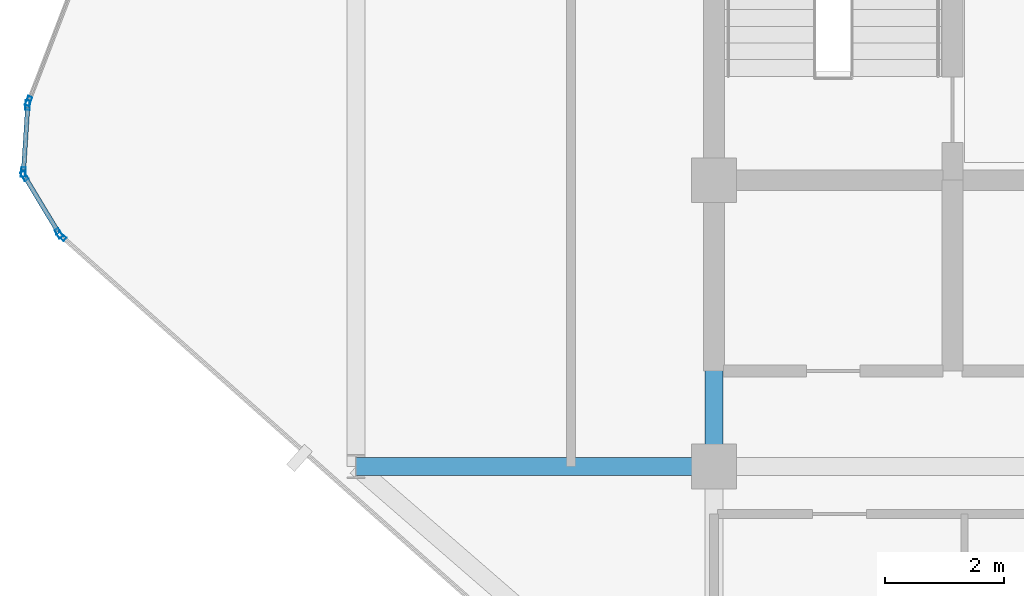
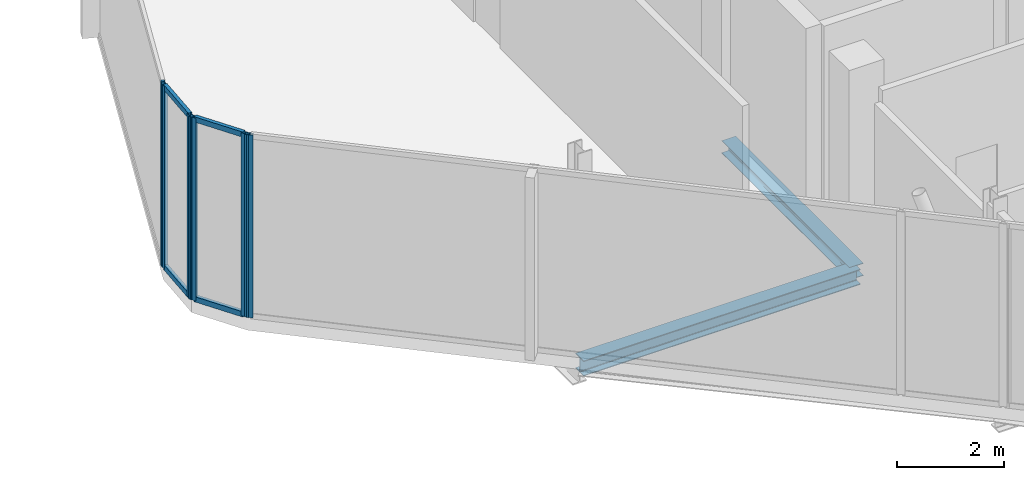
# One storey, part 7 of 24: 10 members, 2 beams, 4 elements without a shape of their own.
"""IFC4 building model written with IfcOpenShell, lengths in metres."""

import ifcopenshell
import ifcopenshell.guid

model = None  # the IFC model being written
_history = None  # IfcOwnerHistory: only IFC2X3 demands one
_inside = {}  # id of a spatial element -> (the spatial element, [elements in it])
_under = {}  # id of a project, library or spatial element -> (it, [spatial elements below it])
_declared = {}  # id of a project -> (the project, [libraries it declares])
_typed = {}  # id of a type object -> (the type object, [elements of that type])
_made_of = {}  # id of a material, layer set ... -> (it, [elements and type objects made of it])


def new_model(schema):
    """Start an empty IFC model of exactly this schema.

    Asked for "IFC4X3", IfcOpenShell would pick the latest addendum, in which some entities
    have other attributes; the version numbers below select the first issue.
    IFC2X3 requires an IfcOwnerHistory on every rooted entity: one is made here for all.
    """
    global model, _history
    if schema == "IFC4X3":
        model = ifcopenshell.file(schema_version=(4, 3, 0, 0))
    else:
        model = ifcopenshell.file(schema=schema)
    _inside.clear()
    _under.clear()
    _declared.clear()
    _typed.clear()
    _made_of.clear()
    _history = None
    if model.schema == "IFC2X3":
        org = make("IfcOrganization", Name="unknown")
        user = make(
            "IfcPersonAndOrganization",
            ThePerson=make("IfcPerson", FamilyName="unknown"),
            TheOrganization=org,
        )
        app = make(
            "IfcApplication",
            ApplicationDeveloper=org,
            Version="unknown",
            ApplicationFullName="unknown",
            ApplicationIdentifier="unknown",
        )
        _history = make(
            "IfcOwnerHistory",
            OwningUser=user,
            OwningApplication=app,
            ChangeAction="ADDED",
            CreationDate=0,
        )
    return model


def make(cls, **values):
    """One entity of the class cls with the attributes given. An attribute that is None is left unset."""
    return model.create_entity(
        cls, **{name: value for name, value in values.items() if value is not None}
    )


def rooted(cls, **values):
    """An entity with a GlobalId (a new one), such as an element, a storey or a relation."""
    return make(cls, GlobalId=ifcopenshell.guid.new(), OwnerHistory=_history, **values)


def si_unit(unit_type, name, prefix=None):
    """IfcSIUnit, for example si_unit("LENGTHUNIT", "METRE", prefix="MILLI")."""
    return make("IfcSIUnit", UnitType=unit_type, Prefix=prefix, Name=name)


def assignment(units):
    """IfcUnitAssignment: the units of a project."""
    return None if units is None else make("IfcUnitAssignment", Units=units)


def point(xyz):
    """IfcCartesianPoint."""
    return None if xyz is None else make("IfcCartesianPoint", Coordinates=xyz)


def direction(xyz):
    """IfcDirection."""
    return None if xyz is None else make("IfcDirection", DirectionRatios=xyz)


def frame(location, z_axis=None, x_axis=None):
    """IfcAxis2Placement3D, a coordinate frame: its origin and axes. An axis left out is left unset."""
    return make(
        "IfcAxis2Placement3D",
        Location=point(location),
        Axis=direction(z_axis),
        RefDirection=direction(x_axis),
    )


def frame_2d(location, x_axis=None):
    """IfcAxis2Placement2D, a coordinate frame in the plane: its origin and x axis."""
    return make(
        "IfcAxis2Placement2D", Location=point(location), RefDirection=direction(x_axis)
    )


def origin():
    """The frame at (0, 0, 0) with its axes left unset."""
    return frame((0.0, 0.0, 0.0))


def origin_2d():
    """The frame at (0, 0) in the plane with its x axis left unset."""
    return frame_2d((0.0, 0.0))


def place(relative_to, where):
    """IfcLocalPlacement: puts the frame where relative to a parent placement (None: the world)."""
    return make(
        "IfcLocalPlacement", PlacementRelTo=relative_to, RelativePlacement=where
    )


def context(
    kind, dimensions, precision=None, world=None, true_north=None, identifier=None
):
    """IfcGeometricRepresentationContext, for example the 3D "Model" context."""
    return make(
        "IfcGeometricRepresentationContext",
        ContextIdentifier=identifier,
        ContextType=kind,
        CoordinateSpaceDimension=dimensions,
        Precision=precision,
        WorldCoordinateSystem=world,
        TrueNorth=true_north,
    )


def subcontext(parent, identifier, kind, view, scale=None):
    """IfcGeometricRepresentationSubContext, for example "Body" below "Model"."""
    return make(
        "IfcGeometricRepresentationSubContext",
        ContextIdentifier=identifier,
        ContextType=kind,
        ParentContext=parent,
        TargetScale=scale,
        TargetView=view,
    )


def project(units=None, contexts=None):
    """IfcProject with its units and contexts."""
    return rooted(
        "IfcProject",
        Name="project",
        RepresentationContexts=contexts,
        UnitsInContext=assignment(units),
    )


def spatial(cls, under=None, at=None, **own):
    """A site, building, storey or space (cls), placed at a placement, below another one or the project."""
    s = rooted(cls, ObjectPlacement=at, **own)
    if under is not None:
        _under.setdefault(under.id(), (under, []))[1].append(s)
    return s


def profile(cls, at=None, kind="AREA", **sizes):
    """A parametric profile (cls). Its sizes go by their IFC names, for example OverallWidth=200.0."""
    return make(cls, ProfileType=kind, Position=at, **sizes)


def hollow_rectangle(**sizes):
    """IfcRectangleHollowProfileDef."""
    return profile("IfcRectangleHollowProfileDef", **sizes)


def i_section(**sizes):
    """IfcIShapeProfileDef."""
    return profile("IfcIShapeProfileDef", **sizes)


def extrude(swept, where, along, depth):
    """IfcExtrudedAreaSolid: the profile swept, set in the frame where, extruded along a direction by depth."""
    return make(
        "IfcExtrudedAreaSolid",
        SweptArea=swept,
        Position=where,
        ExtrudedDirection=direction(along),
        Depth=depth,
    )


def shape(context_of_items, identifier, shape_type, items):
    """IfcShapeRepresentation: the items that make up one representation, for example the "Body"."""
    return make(
        "IfcShapeRepresentation",
        ContextOfItems=context_of_items,
        RepresentationIdentifier=identifier,
        RepresentationType=shape_type,
        Items=items,
    )


def material(Name=None, Category=None):
    """IfcMaterial."""
    return make("IfcMaterial", Name=Name, Category=Category)


def layer(
    of_material, thickness, ventilated=None, Name=None, Category=None, Priority=None
):
    """IfcMaterialLayer: one layer of a wall or slab, of a material (None: an air gap)."""
    return make(
        "IfcMaterialLayer",
        Material=of_material,
        LayerThickness=thickness,
        IsVentilated=ventilated,
        Name=Name,
        Category=Category,
        Priority=Priority,
    )


def layer_set(layers, Name=None):
    """IfcMaterialLayerSet."""
    return make("IfcMaterialLayerSet", MaterialLayers=layers, LayerSetName=Name)


def material_profile(
    of_material, cross_section, Name=None, Category=None, Priority=None
):
    """IfcMaterialProfile: a cross section and its material."""
    return make(
        "IfcMaterialProfile",
        Name=Name,
        Material=of_material,
        Profile=cross_section,
        Priority=Priority,
        Category=Category,
    )


def profile_set(profiles, Name=None, composite=None):
    """IfcMaterialProfileSet."""
    return make(
        "IfcMaterialProfileSet",
        Name=Name,
        MaterialProfiles=profiles,
        CompositeProfile=composite,
    )


def made_of(thing, what):
    """Note that an element or type object is made of a material, layer set ...; save() writes the relation."""
    if what is not None:
        _made_of.setdefault(what.id(), (what, []))[1].append(thing)
    return thing


def type_object(cls, material=None, **own):
    """A type object (cls), such as IfcWallType, which elements share."""
    return made_of(rooted(cls, **own), material)


def element(
    cls,
    number,
    at=None,
    inside=None,
    cuts=None,
    type_object=None,
    material=None,
    context=None,
    identifier="Body",
    shape_type=None,
    held_by="IfcProductDefinitionShape",
    body=None,
    shapes=None,
    **own,
):
    """One element of the class cls, such as IfcWall. Its Tag is "e" and its number.

    at: its placement. inside: the storey or other place that contains it. cuts: it is an
    opening in that element (IfcRelVoidsElement). A single representation is given by context,
    identifier, shape_type and body (its items); several are given by shapes. held_by: the class
    of the entity that holds the representations. save() writes the other relations.
    """
    e = rooted(cls, Tag="e%d" % number, ObjectPlacement=at, **own)
    if body is not None:
        shapes = [shape(context, identifier, shape_type, body)]
    if shapes is not None:
        e.Representation = make(held_by, Representations=shapes)
    if inside is not None:
        _inside.setdefault(inside.id(), (inside, []))[1].append(e)
    if cuts is not None:
        rooted(
            "IfcRelVoidsElement", RelatingBuildingElement=cuts, RelatedOpeningElement=e
        )
    if type_object is not None:
        _typed.setdefault(type_object.id(), (type_object, []))[1].append(e)
    return made_of(e, material)


def aggregate(whole, parts):
    """IfcRelAggregates: a whole, such as a stair, and the parts it consists of."""
    return rooted("IfcRelAggregates", RelatingObject=whole, RelatedObjects=parts)


def save(model, path):
    """Write the relations noted so far, then the file.

    IfcRelAggregates (storeys below a building ...), IfcRelContainedInSpatialStructure (elements
    in a storey), IfcRelDefinesByType, IfcRelAssociatesMaterial and IfcRelDeclares: one each for
    every whole, place, type object, material and project.
    """
    for whole, parts in _under.values():
        aggregate(whole, parts)
    for where, things in _inside.values():
        rooted(
            "IfcRelContainedInSpatialStructure",
            RelatedElements=things,
            RelatingStructure=where,
        )
    for kind, things in _typed.values():
        rooted("IfcRelDefinesByType", RelatedObjects=things, RelatingType=kind)
    for what, things in _made_of.values():
        rooted("IfcRelAssociatesMaterial", RelatedObjects=things, RelatingMaterial=what)
    for by, libraries in _declared.values():
        rooted("IfcRelDeclares", RelatingContext=by, RelatedDefinitions=libraries)
    model.write(path)


model = new_model("IFC4")

# Units and contexts
model_context = context("Model", 3, precision=1e-05, world=origin(), true_north=direction((0.0, 1.0)))
body_context = subcontext(model_context, "Body", "Model", "MODEL_VIEW")
ifc_project = project(units=[si_unit("LENGTHUNIT", "METRE"), si_unit("AREAUNIT", "SQUARE_METRE"), si_unit("VOLUMEUNIT", "CUBIC_METRE"), si_unit("PLANEANGLEUNIT", "RADIAN"), si_unit("MASSUNIT", "GRAM", prefix="KILO")], contexts=[model_context])

# Site, building, storey
site_placement = place(None, origin())
site = spatial("IfcSite", under=ifc_project, at=site_placement, CompositionType="ELEMENT")
building_placement = place(site_placement, origin())
building = spatial("IfcBuilding", under=site, at=building_placement, Name="Keshet Zoharim Tower", CompositionType="ELEMENT")
storey_placement = place(building_placement, frame((0.0, 0.0, 242.800048828125)))
storey = spatial("IfcBuildingStorey", under=building, at=storey_placement, Name="L60", CompositionType="ELEMENT", Elevation=242.800048828125)

# Beams
ifc_material_1 = material(Name="Steel S355", Category="steel")
ifc_material_profile_1 = material_profile(ifc_material_1, i_section(OverallWidth=0.300048828125, OverallDepth=0.2900390625, WebThickness=0.008544921875, FlangeThickness=0.013916015625, FilletRadius=0.027099609375, at=origin_2d()), Name="HEA300")
ifc_profile_set_1 = profile_set([ifc_material_profile_1], Name="Steel S355")
beam_type_1 = type_object("IfcBeamType", Name="BM-PRI-HA300", PredefinedType="BEAM", material=ifc_profile_set_1)
beam_1_placement = place(storey_placement, frame((15.0, 17.89990234375, -0.465087890625), z_axis=(0.0, 1.0, 0.0), x_axis=(-1.0, 0.0, 0.0)))
element("IfcBeam", 1, at=beam_1_placement, inside=storey, type_object=beam_type_1, Name="L60 Primary Girder Y-003", PredefinedType="BEAM", context=body_context, shape_type="SweptSolid", body=[
    extrude(i_section(OverallWidth=0.300048828125, OverallDepth=0.2900390625, WebThickness=0.008544921875, FlangeThickness=0.013916015625, FilletRadius=0.027099609375, at=origin_2d()), origin(), (0.0, 0.0, 1.0), 4.800048828125),
])
ifc_material_profile_2 = material_profile(ifc_material_1, i_section(OverallWidth=0.300048828125, OverallDepth=0.35009765625, WebThickness=0.010009765625, FlangeThickness=0.017578125, FilletRadius=0.027099609375, at=origin_2d()), Name="HEA360")
ifc_profile_set_2 = profile_set([ifc_material_profile_2], Name="Steel S355")
beam_type_2 = type_object("IfcBeamType", Name="BM-PRI-HA360", PredefinedType="BEAM", material=ifc_profile_set_2)
beam_2_placement = place(storey_placement, frame((9.0, 17.89990234375, -0.4951171875), z_axis=(1.0, 0.0, 0.0), x_axis=(0.0, 1.0, 0.0)))
element("IfcBeam", 2, at=beam_2_placement, inside=storey, type_object=beam_type_2, Name="L60 Primary Girder X-005", PredefinedType="BEAM", context=body_context, shape_type="SweptSolid", body=[
    extrude(i_section(OverallWidth=0.300048828125, OverallDepth=0.35009765625, WebThickness=0.010009765625, FlangeThickness=0.017578125, FilletRadius=0.027099609375, at=origin_2d()), origin(), (0.0, 0.0, 1.0), 6.0),
])

# Curtain wall, members
ifc_material_2 = material(Name="Aluminium 6063-T6", Category="aluminium")
ifc_layer = layer(ifc_material_2, 0.260009765625)
ifc_layer_set = layer_set([ifc_layer], Name="Aluminium 6063-T6")
curtain_wall_type = type_object("IfcCurtainWallType", Name="CW-SYS-06", PredefinedType="NOTDEFINED", material=ifc_layer_set)
curtain_wall_1_placement = place(storey_placement, origin())
curtain_wall_1 = element("IfcCurtainWall", 3, at=curtain_wall_1_placement, inside=storey, type_object=curtain_wall_type, Name="L60 Unitised Curtain Wall 01", PredefinedType="NOTDEFINED")
ifc_material_profile_3 = material_profile(ifc_material_2, hollow_rectangle(XDim=0.074951171875, YDim=0.159912109375, WallThickness=0.00390625, at=origin_2d()), Name="MUL-75x160")
ifc_profile_set_3 = profile_set([ifc_material_profile_3], Name="Aluminium 6063-T6")
member_type_1 = type_object("IfcMemberType", Name="CWM-M15", PredefinedType="MULLION", material=ifc_profile_set_3)
member_1_placement = place(storey_placement, frame((4.016845703125, 21.81005859375, 0.0), z_axis=(0.0, 0.0, 1.0), x_axis=(-0.856826433805, -0.515604947933, 0.0)))
member_1 = element("IfcMember", 4, at=member_1_placement, type_object=member_type_1, Name="CW-06 mullion 1", PredefinedType="MULLION", context=body_context, shape_type="SweptSolid", body=[
    extrude(hollow_rectangle(XDim=0.074951171875, YDim=0.159912109375, WallThickness=0.00390625, at=origin_2d()), origin(), (0.0, 0.0, 1.0), 4.18994140625),
])
member_2_placement = place(storey_placement, frame((3.43798828125, 22.77197265625, 0.0), z_axis=(0.0, 0.0, 1.0), x_axis=(-0.856826433805, -0.515604947933, 0.0)))
member_2 = element("IfcMember", 5, at=member_2_placement, type_object=member_type_1, Name="CW-06 mullion 2", PredefinedType="MULLION", context=body_context, shape_type="SweptSolid", body=[
    extrude(hollow_rectangle(XDim=0.074951171875, YDim=0.159912109375, WallThickness=0.00390625, at=origin_2d()), origin(), (0.0, 0.0, 1.0), 4.18994140625),
])

curtain_wall_2_placement = place(storey_placement, origin())
curtain_wall_2 = element("IfcCurtainWall", 6, at=curtain_wall_2_placement, inside=storey, type_object=curtain_wall_type, Name="L60 Unitised Curtain Wall 02", PredefinedType="NOTDEFINED")
member_3_placement = place(storey_placement, frame((3.42236328125, 22.8369140625, 0.0), z_axis=(0.0, 0.0, 1.0), x_axis=(-0.997916617186, 0.064516859374, 0.0)))
member_3 = element("IfcMember", 7, at=member_3_placement, type_object=member_type_1, Name="CW-06 mullion 1", PredefinedType="MULLION", context=body_context, shape_type="SweptSolid", body=[
    extrude(hollow_rectangle(XDim=0.074951171875, YDim=0.159912109375, WallThickness=0.00390625, at=origin_2d()), origin(), (0.0, 0.0, 1.0), 4.18994140625),
])
member_4_placement = place(storey_placement, frame((3.49462890625, 23.9580078125, 0.0), z_axis=(0.0, 0.0, 1.0), x_axis=(-0.997916617186, 0.064516859374, 0.0)))
member_4 = element("IfcMember", 8, at=member_4_placement, type_object=member_type_1, Name="CW-06 mullion 2", PredefinedType="MULLION", context=body_context, shape_type="SweptSolid", body=[
    extrude(hollow_rectangle(XDim=0.074951171875, YDim=0.159912109375, WallThickness=0.00390625, at=origin_2d()), origin(), (0.0, 0.0, 1.0), 4.18994140625),
])

# Curtain wall, member
curtain_wall_3_placement = place(storey_placement, origin())
curtain_wall_3 = element("IfcCurtainWall", 9, at=curtain_wall_3_placement, inside=storey, type_object=curtain_wall_type, Name="L60 Unitised Curtain Wall 03", PredefinedType="NOTDEFINED")
member_5_placement = place(storey_placement, frame((3.509521484375, 24.025634765625, 0.0), z_axis=(0.0, 0.0, 1.0), x_axis=(-0.933341404361, 0.358990003907, 0.0)))
member_5 = element("IfcMember", 10, at=member_5_placement, type_object=member_type_1, Name="CW-06 mullion 1", PredefinedType="MULLION", context=body_context, shape_type="SweptSolid", body=[
    extrude(hollow_rectangle(XDim=0.074951171875, YDim=0.159912109375, WallThickness=0.00390625, at=origin_2d()), origin(), (0.0, 0.0, 1.0), 4.18994140625),
])
aggregate(curtain_wall_3, [member_5])

curtain_wall_4_placement = place(storey_placement, origin())
curtain_wall_4 = element("IfcCurtainWall", 11, at=curtain_wall_4_placement, inside=storey, type_object=curtain_wall_type, Name="L60 Unitised Curtain Wall 15 Part 3", PredefinedType="NOTDEFINED")
member_6_placement = place(storey_placement, frame((4.061279296875, 21.7568359375, 0.0), z_axis=(0.0, 0.0, 1.0), x_axis=(-0.664359369535, -0.747413291367, 0.0)))
member_6 = element("IfcMember", 12, at=member_6_placement, type_object=member_type_1, Name="CW-06 mullion 2", PredefinedType="MULLION", context=body_context, shape_type="SweptSolid", body=[
    extrude(hollow_rectangle(XDim=0.074951171875, YDim=0.159912109375, WallThickness=0.00390625, at=origin_2d()), origin(), (0.0, 0.0, 1.0), 4.18994140625),
])
aggregate(curtain_wall_4, [member_6])

# Member
ifc_material_profile_4 = material_profile(ifc_material_2, hollow_rectangle(XDim=0.074951171875, YDim=0.1201171875, WallThickness=0.00390625, at=origin_2d()), Name="TRN-75x120")
ifc_profile_set_4 = profile_set([ifc_material_profile_4], Name="Aluminium 6063-T6")
member_type_2 = type_object("IfcMemberType", Name="CWT-T12", PredefinedType="USERDEFINED", material=ifc_profile_set_4)
member_7_placement = place(storey_placement, frame((3.9990234375, 21.840087890625, 0.034912109375), z_axis=(-0.515791194107, 0.856714330499, 0.0), x_axis=(-0.856714330499, -0.515791194107, 0.0)))
member_7 = element("IfcMember", 13, at=member_7_placement, type_object=member_type_2, Name="CW-06 transom 1.1", ObjectType="TRANSOM", PredefinedType="USERDEFINED", context=body_context, shape_type="SweptSolid", body=[
    extrude(hollow_rectangle(XDim=0.074951171875, YDim=0.1201171875, WallThickness=0.00390625, at=origin_2d()), origin(), (0.0, 0.0, 1.0), 1.052734375),
])

member_8_placement = place(storey_placement, frame((3.9990234375, 21.840087890625, 4.155029296875), z_axis=(-0.515791194107, 0.856714330499, 0.0), x_axis=(-0.856714330499, -0.515791194107, 0.0)))
member_8 = element("IfcMember", 14, at=member_8_placement, type_object=member_type_2, Name="CW-06 transom 1.2", ObjectType="TRANSOM", PredefinedType="USERDEFINED", context=body_context, shape_type="SweptSolid", body=[
    extrude(hollow_rectangle(XDim=0.074951171875, YDim=0.1201171875, WallThickness=0.00390625, at=origin_2d()), origin(), (0.0, 0.0, 1.0), 1.052734375),
])

aggregate(curtain_wall_1, [member_1, member_2, member_7, member_8])

member_9_placement = place(storey_placement, frame((3.424560546875, 22.871826171875, 0.034912109375), z_axis=(0.064426947155, 0.997922426083, 0.0), x_axis=(-0.997922426083, 0.064426947155, 0.0)))
member_9 = element("IfcMember", 15, at=member_9_placement, type_object=member_type_2, Name="CW-06 transom 1.1", ObjectType="TRANSOM", PredefinedType="USERDEFINED", context=body_context, shape_type="SweptSolid", body=[
    extrude(hollow_rectangle(XDim=0.074951171875, YDim=0.1201171875, WallThickness=0.00390625, at=origin_2d()), origin(), (0.0, 0.0, 1.0), 1.053466796875),
])

member_10_placement = place(storey_placement, frame((3.424560546875, 22.871826171875, 4.155029296875), z_axis=(0.064426947155, 0.997922426083, 0.0), x_axis=(-0.997922426083, 0.064426947155, 0.0)))
member_10 = element("IfcMember", 16, at=member_10_placement, type_object=member_type_2, Name="CW-06 transom 1.2", ObjectType="TRANSOM", PredefinedType="USERDEFINED", context=body_context, shape_type="SweptSolid", body=[
    extrude(hollow_rectangle(XDim=0.074951171875, YDim=0.1201171875, WallThickness=0.00390625, at=origin_2d()), origin(), (0.0, 0.0, 1.0), 1.053466796875),
])

aggregate(curtain_wall_2, [member_3, member_4, member_9, member_10])

save(model, "model.ifc")
